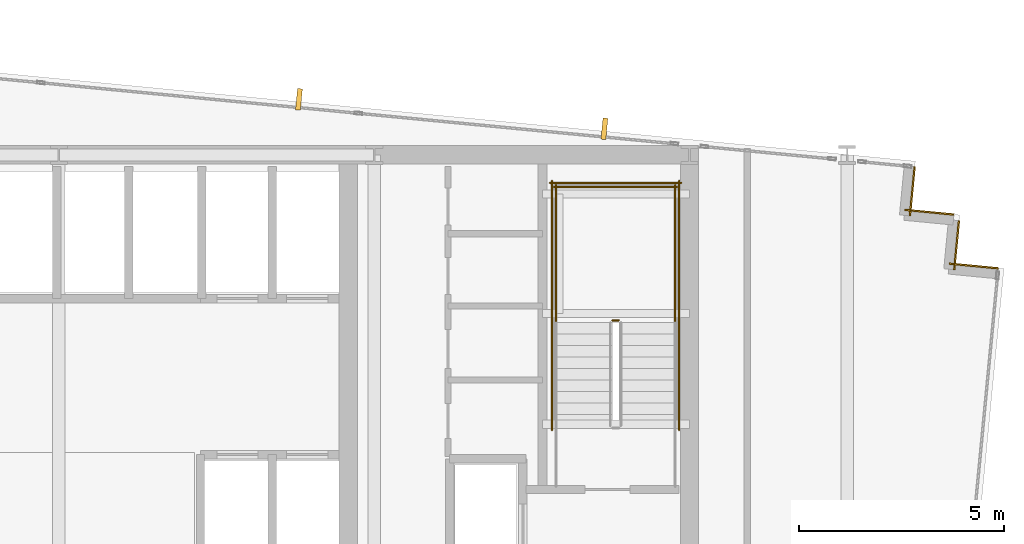
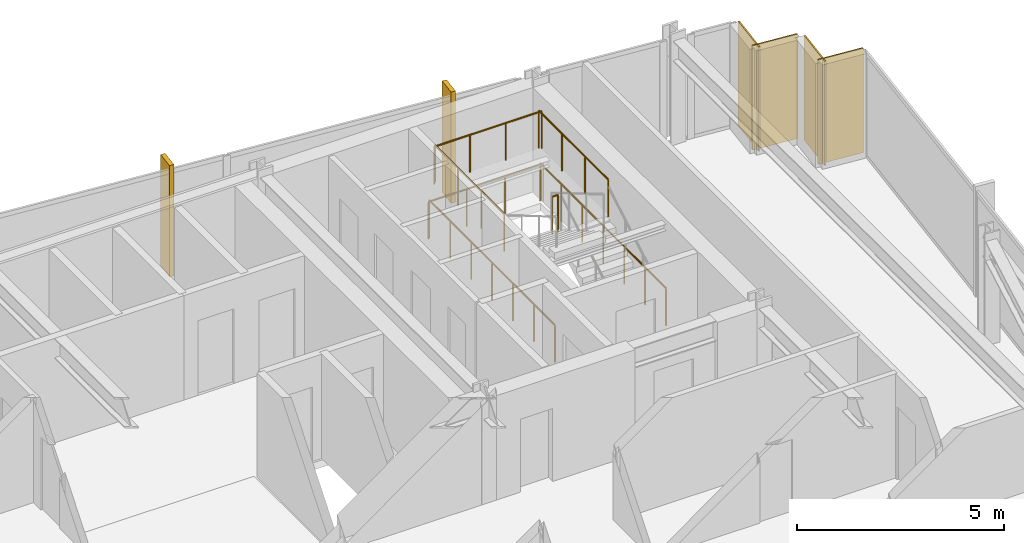
# One storey, part 38 of 38: 7 railings, 4 coverings, 2 shading devices.
"""IFC4 building model written with IfcOpenShell, lengths in metres."""

from ifc_helpers import new_model, si_unit, direction, frame, frame_2d, origin, origin_2d, place, context, subcontext, project, spatial, rectangle, circle, extrude, material, layer, layer_set, type_object, element, save


model = new_model("IFC4")

# Units and contexts
model_context = context("Model", 3, precision=1e-05, world=origin(), true_north=direction((0.0, 1.0)))
body_context = subcontext(model_context, "Body", "Model", "MODEL_VIEW")
ifc_project = project(units=[si_unit("LENGTHUNIT", "METRE"), si_unit("AREAUNIT", "SQUARE_METRE"), si_unit("VOLUMEUNIT", "CUBIC_METRE"), si_unit("PLANEANGLEUNIT", "RADIAN"), si_unit("MASSUNIT", "GRAM", prefix="KILO")], contexts=[model_context])

# Site, building, storey
site_placement = place(None, origin())
site = spatial("IfcSite", under=ifc_project, at=site_placement, CompositionType="ELEMENT")
building_placement = place(site_placement, origin())
building = spatial("IfcBuilding", under=site, at=building_placement, Name="Yelkora Congress Tower", CompositionType="ELEMENT")
storey_placement = place(building_placement, frame((0.0, 0.0, 178.699951171875)))
storey = spatial("IfcBuildingStorey", under=building, at=storey_placement, Name="L49", CompositionType="ELEMENT", Elevation=178.699951171875)

# Coverings
ifc_material_1 = material(Name="Anatolian bush-hammered limestone", Category="masonry")
ifc_layer_1 = layer(ifc_material_1, 0.0400390625)
ifc_layer_set_1 = layer_set([ifc_layer_1], Name="Anatolian bush-hammered limestone")
covering_type = type_object("IfcCoveringType", Name="COV-CLAD-SPANDREL-40", PredefinedType="CLADDING", material=ifc_layer_set_1)
covering_1_placement = place(storey_placement, frame((59.2431640625, 45.909912109375, 0.0), z_axis=(0.0, 0.0, 1.0), x_axis=(-0.095836473879, -0.995397091755, 0.0)))
element("IfcCovering", 1, at=covering_1_placement, inside=storey, type_object=covering_type, Name="L49 Anatolian Limestone Cladding EW-L49-SR11", PredefinedType="CLADDING", context=body_context, shape_type="SweptSolid", body=[
    extrude(rectangle(XDim=1.199951171875, YDim=0.0400390625, at=frame_2d((0.60009765625, 0.0))), origin(), (0.0, 0.0, 1.0), 3.080078125),
])
for number, where, z_axis, x_axis, name in (
    (2, (59.006591796875, 44.86279296875, 0.0), (0.0, 0.0, 1.0), (0.995398960025, -0.095817067274, 0.0), "L49 Anatolian Limestone Cladding EW-L49-SR12"),
    (3, (60.322509765625, 44.6005859375, 0.0), (0.0, 0.0, 1.0), (-0.095817067274, -0.995398960025, 0.0), "L49 Anatolian Limestone Cladding EW-L49-SR13"),
):
    element("IfcCovering", number, at=place(storey_placement, frame(where, z_axis=z_axis, x_axis=x_axis)), inside=storey, type_object=covering_type, Name=name, PredefinedType="CLADDING", context=body_context, shape_type="SweptSolid", body=[
        extrude(rectangle(XDim=1.2001953125, YDim=0.0400390625, at=frame_2d((0.60009765625, 0.0))), origin(), (0.0, 0.0, 1.0), 3.080078125),
    ])
covering_2_placement = place(storey_placement, frame((60.086181640625, 43.55322265625, 0.0), z_axis=(0.0, 0.0, 1.0), x_axis=(0.995397091755, -0.095836473879, 0.0)))
element("IfcCovering", 4, at=covering_2_placement, inside=storey, type_object=covering_type, Name="L49 Anatolian Limestone Cladding EW-L49-SR14", PredefinedType="CLADDING", context=body_context, shape_type="SweptSolid", body=[
    extrude(rectangle(XDim=1.199951171875, YDim=0.0400390625, at=frame_2d((0.60009765625, 0.0))), origin(), (0.0, 0.0, 1.0), 3.080078125),
])

# Railings
ifc_material_2 = material(Name="Painted galvanised steel stair well guard with vertical infill", Category="steel")
ifc_layer_2 = layer(ifc_material_2, 0.06005859375)
ifc_layer_set_2 = layer_set([ifc_layer_2], Name="Painted galvanised steel stair well guard with vertical infill")
railing_type = type_object("IfcRailingType", Name="RAIL-STAIR-GUARD-1120", PredefinedType="GUARDRAIL", material=ifc_layer_set_2)
railing_1_placement = place(storey_placement, frame((52.0400390625, 42.169921875, 1.650146484375)))
element("IfcRailing", 5, at=railing_1_placement, inside=storey, type_object=railing_type, Name="ST-02 L49 Stair Well Guardrail 2", PredefinedType="GUARDRAIL", context=body_context, shape_type="SweptSolid", body=[
    extrude(circle(Radius=0.02392578125, at=origin_2d()), frame((0.0, 0.0, 1.09619140625), z_axis=(-1.0, 0.0, 0.0), x_axis=(0.0, -1.0, 0.0)), (0.0, 0.0, 1.0), 0.16015625),
    extrude(circle(Radius=0.02099609375, at=origin_2d()), origin(), (0.0, 0.0, 1.0), 1.072021484375),
    extrude(circle(Radius=0.02099609375, at=origin_2d()), frame((-0.16015625, 0.0, 0.0)), (0.0, 0.0, 1.0), 1.072021484375),
])
for number, where, name in (
    (6, (53.409912109375, 42.1201171875, 1.650146484375), "ST-02 L49 Stair Well Guardrail 3"),
    (7, (50.510009765625, 42.1201171875, 1.650146484375), "ST-02 L49 Stair Well Guardrail 4"),
):
    element("IfcRailing", number, at=place(storey_placement, frame(where)), inside=storey, type_object=railing_type, Name=name, PredefinedType="GUARDRAIL", context=body_context, shape_type="SweptSolid", body=[
        extrude(circle(Radius=0.02392578125, at=origin_2d()), frame((0.0, 0.0, 1.09619140625), z_axis=(0.0, 1.0, 0.0), x_axis=(-1.0, 0.0, 0.0)), (0.0, 0.0, 1.0), 3.349853515625),
        extrude(circle(Radius=0.02099609375, at=origin_2d()), origin(), (0.0, 0.0, 1.0), 1.072021484375),
        extrude(circle(Radius=0.02099609375, at=origin_2d()), frame((0.0, 1.11669921875, 0.0)), (0.0, 0.0, 1.0), 1.072021484375),
        extrude(circle(Radius=0.02099609375, at=origin_2d()), frame((0.0, 2.233154296875, 0.0)), (0.0, 0.0, 1.0), 1.072021484375),
        extrude(circle(Radius=0.02099609375, at=origin_2d()), frame((0.0, 3.349853515625, 0.0)), (0.0, 0.0, 1.0), 1.072021484375),
    ])
railing_2_placement = place(storey_placement, frame((53.4599609375, 45.419921875, 1.650146484375)))
element("IfcRailing", 8, at=railing_2_placement, inside=storey, type_object=railing_type, Name="ST-02 L49 Stair Well Guardrail 5", PredefinedType="GUARDRAIL", context=body_context, shape_type="SweptSolid", body=[
    extrude(circle(Radius=0.02392578125, at=origin_2d()), frame((0.0, 0.0, 1.09619140625), z_axis=(-1.0, 0.0, 0.0), x_axis=(0.0, -1.0, 0.0)), (0.0, 0.0, 1.0), 3.0),
    extrude(circle(Radius=0.02099609375, at=origin_2d()), origin(), (0.0, 0.0, 1.0), 1.072021484375),
    extrude(circle(Radius=0.02099609375, at=origin_2d()), frame((-1.0, 0.0, 0.0)), (0.0, 0.0, 1.0), 1.072021484375),
    extrude(circle(Radius=0.02099609375, at=origin_2d()), frame((-2.0, 0.0, 0.0)), (0.0, 0.0, 1.0), 1.072021484375),
    extrude(circle(Radius=0.02099609375, at=origin_2d()), frame((-3.0, 0.0, 0.0)), (0.0, 0.0, 1.0), 1.072021484375),
])
for number, where, name in (
    (9, (53.510009765625, 39.5, 0.0), "ST-02 L49 Stair Well Guardrail 10"),
    (10, (50.409912109375, 39.5, 0.0), "ST-02 L49 Stair Well Guardrail 11"),
):
    element("IfcRailing", number, at=place(storey_placement, frame(where)), inside=storey, type_object=railing_type, Name=name, PredefinedType="GUARDRAIL", context=body_context, shape_type="SweptSolid", body=[
        extrude(circle(Radius=0.02392578125, at=origin_2d()), frame((0.0, 0.0, 1.09619140625), z_axis=(0.0, 1.0, 0.0), x_axis=(-1.0, 0.0, 0.0)), (0.0, 0.0, 1.0), 6.070068359375),
        extrude(circle(Radius=0.02099609375, at=origin_2d()), origin(), (0.0, 0.0, 1.0), 1.072021484375),
        extrude(circle(Radius=0.02099609375, at=origin_2d()), frame((0.0, 1.01171875, 0.0)), (0.0, 0.0, 1.0), 1.072021484375),
        extrude(circle(Radius=0.02099609375, at=origin_2d()), frame((0.0, 2.0234375, 0.0)), (0.0, 0.0, 1.0), 1.072021484375),
        extrude(circle(Radius=0.02099609375, at=origin_2d()), frame((0.0, 3.03515625, 0.0)), (0.0, 0.0, 1.0), 1.072021484375),
        extrude(circle(Radius=0.02099609375, at=origin_2d()), frame((0.0, 4.046630859375, 0.0)), (0.0, 0.0, 1.0), 1.072021484375),
        extrude(circle(Radius=0.02099609375, at=origin_2d()), frame((0.0, 5.058349609375, 0.0)), (0.0, 0.0, 1.0), 1.072021484375),
        extrude(circle(Radius=0.02099609375, at=origin_2d()), frame((0.0, 6.070068359375, 0.0)), (0.0, 0.0, 1.0), 1.072021484375),
    ])
railing_3_placement = place(storey_placement, frame((53.56005859375, 45.52001953125, 0.0)))
element("IfcRailing", 11, at=railing_3_placement, inside=storey, type_object=railing_type, Name="ST-02 L49 Stair Well Guardrail 12", PredefinedType="GUARDRAIL", context=body_context, shape_type="SweptSolid", body=[
    extrude(circle(Radius=0.02392578125, at=origin_2d()), frame((0.0, 0.0, 1.09619140625), z_axis=(-1.0, 0.0, 0.0), x_axis=(0.0, -1.0, 0.0)), (0.0, 0.0, 1.0), 3.199951171875),
    extrude(circle(Radius=0.02099609375, at=origin_2d()), origin(), (0.0, 0.0, 1.0), 1.072021484375),
    extrude(circle(Radius=0.02099609375, at=origin_2d()), frame((-1.066650390625, 0.0, 0.0)), (0.0, 0.0, 1.0), 1.072021484375),
    extrude(circle(Radius=0.02099609375, at=origin_2d()), frame((-2.13330078125, 0.0, 0.0)), (0.0, 0.0, 1.0), 1.072021484375),
    extrude(circle(Radius=0.02099609375, at=origin_2d()), frame((-3.199951171875, 0.0, 0.0)), (0.0, 0.0, 1.0), 1.072021484375),
])

# Shading devices
ifc_material_3 = material(Name="Champagne anodised aluminium", Category="aluminium")
ifc_layer_3 = layer(ifc_material_3, 3.300048828125)
ifc_layer_set_3 = layer_set([ifc_layer_3], Name="Champagne anodised aluminium")
shading_device_type = type_object("IfcShadingDeviceType", Name="SHD-FIN-ALU-520", PredefinedType="USERDEFINED", material=ifc_layer_set_3)
for number, where, z_axis, x_axis, name in (
    (12, (44.248291015625, 47.5546875, -0.02978515625), (0.0, 0.0, 1.0), (0.995396198367, -0.09584575252, 0.0), "L49 Vertical Anodised Solar Fin 10-5"),
    (13, (51.68798828125, 46.83837890625, -0.02978515625), (0.0, 0.0, 1.0), (0.995396198367, -0.09584575252, 0.0), "L49 Vertical Anodised Solar Fin 10-6"),
):
    element("IfcShadingDevice", number, at=place(storey_placement, frame(where, z_axis=z_axis, x_axis=x_axis)), inside=storey, type_object=shading_device_type, Name=name, ObjectType="FIN", PredefinedType="USERDEFINED", context=body_context, shape_type="SweptSolid", body=[
        extrude(rectangle(XDim=0.1201171875, YDim=0.52001953125, at=origin_2d()), origin(), (0.0, 0.0, 1.0), 3.280029296875),
    ])

save(model, "model.ifc")
